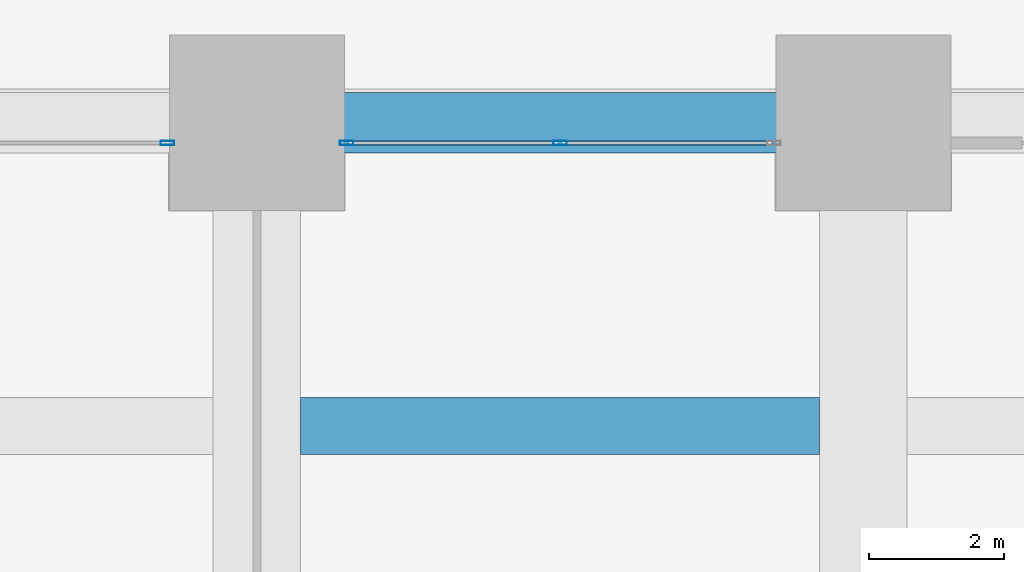
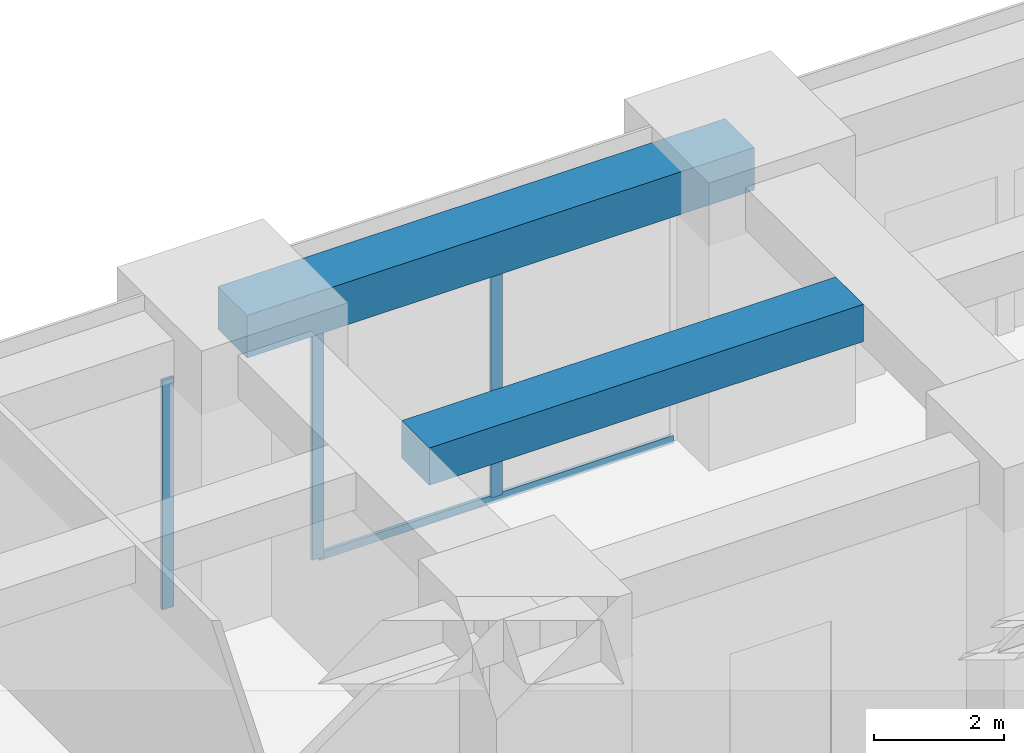
# One storey, part 24 of 56: 4 members, 2 beams, 2 elements without a shape of their own.
"""IFC4 building model written with IfcOpenShell, lengths in metres."""

from ifc_helpers import new_model, si_unit, direction, frame, origin, origin_2d, place, context, subcontext, project, spatial, rectangle, hollow_rectangle, extrude, material, material_profile, profile_set, type_object, element, aggregate, save


model = new_model("IFC4")

# Units and contexts
model_context = context("Model", 3, precision=1e-05, world=origin(), true_north=direction((0.0, 1.0)))
body_context = subcontext(model_context, "Body", "Model", "MODEL_VIEW")
ifc_project = project(units=[si_unit("LENGTHUNIT", "METRE"), si_unit("AREAUNIT", "SQUARE_METRE"), si_unit("VOLUMEUNIT", "CUBIC_METRE"), si_unit("PLANEANGLEUNIT", "RADIAN"), si_unit("MASSUNIT", "GRAM", prefix="KILO")], contexts=[model_context])

# Site, building, storey
site_placement = place(None, origin())
site = spatial("IfcSite", under=ifc_project, at=site_placement, CompositionType="ELEMENT")
building_placement = place(site_placement, origin())
building = spatial("IfcBuilding", under=site, at=building_placement, Name="Zorevar Civic Tower", CompositionType="ELEMENT")
storey_placement = place(building_placement, origin())
storey = spatial("IfcBuildingStorey", under=building, at=storey_placement, Name="L00", CompositionType="ELEMENT", Elevation=0.0)

# Beam
ifc_material_1 = material(Name="Concrete C50/60", Category="concrete")
ifc_material_profile_1 = material_profile(ifc_material_1, rectangle(XDim=0.85009765625, YDim=0.699951171875, at=origin_2d()), Name="RC 850x700")
ifc_profile_set_1 = profile_set([ifc_material_profile_1], Name="Concrete C50/60")
beam_type_1 = type_object("IfcBeamType", Name="Beam RC 850x700", PredefinedType="BEAM", material=ifc_profile_set_1)
beam_1_placement = place(storey_placement, frame((18.64990234375, 49.5, 4.75), z_axis=(1.0, 0.0, 0.0), x_axis=(0.0, 1.0, 0.0)))
element("IfcBeam", 1, at=beam_1_placement, inside=storey, type_object=beam_type_1, Name="Secondary beam L01", PredefinedType="BEAM", context=body_context, shape_type="SweptSolid", body=[
    extrude(rectangle(XDim=0.85009765625, YDim=0.699951171875, at=origin_2d()), origin(), (0.0, 0.0, 1.0), 7.7001953125),
])

# Curtain wall, member
ifc_material_2 = material(Name="Dark grey solar-control glass in black aluminium frame", Category="aluminium")
curtain_wall_type = type_object("IfcCurtainWallType", Name="Curtain wall CW1 podium", PredefinedType="NOTDEFINED", material=ifc_material_2)
curtain_wall_1_placement = place(storey_placement, origin())
curtain_wall_1 = element("IfcCurtainWall", 2, at=curtain_wall_1_placement, inside=storey, type_object=curtain_wall_type, Name="CW1 L00", PredefinedType="NOTDEFINED")
ifc_material_3 = material(Name="Aluminium, black anodised", Category="aluminium")
ifc_material_profile_2 = material_profile(ifc_material_3, hollow_rectangle(XDim=0.06005859375, YDim=0.199951171875, WallThickness=0.00390625, at=origin_2d()), Name="AL 200x60x4")
ifc_profile_set_2 = profile_set([ifc_material_profile_2], Name="Aluminium, black anodised")
member_type_1 = type_object("IfcMemberType", Name="CW1 mullion AL 200x60x4", PredefinedType="MULLION", material=ifc_profile_set_2)
member_1_placement = place(storey_placement, frame((16.669921875, 53.699951171875, 0.0), z_axis=(0.0, 0.0, 1.0), x_axis=(0.0, 1.0, 0.0)))
member_1 = element("IfcMember", 3, at=member_1_placement, type_object=member_type_1, Name="CW1 mullion 3", PredefinedType="MULLION", context=body_context, shape_type="SweptSolid", body=[
    extrude(hollow_rectangle(XDim=0.06005859375, YDim=0.199951171875, WallThickness=0.00390625, at=origin_2d()), origin(), (0.0, 0.0, 1.0), 4.300048828125),
])
aggregate(curtain_wall_1, [member_1])

# Curtain wall, members
curtain_wall_2_placement = place(storey_placement, origin())
curtain_wall_2 = element("IfcCurtainWall", 4, at=curtain_wall_2_placement, inside=storey, type_object=curtain_wall_type, Name="CW1 L00", PredefinedType="NOTDEFINED")
member_2_placement = place(storey_placement, frame((19.330078125, 53.699951171875, 0.0), z_axis=(0.0, 0.0, 1.0), x_axis=(0.0, 1.0, 0.0)))
member_2 = element("IfcMember", 5, at=member_2_placement, type_object=member_type_1, Name="CW1 mullion 1", PredefinedType="MULLION", context=body_context, shape_type="SweptSolid", body=[
    extrude(hollow_rectangle(XDim=0.06005859375, YDim=0.199951171875, WallThickness=0.00390625, at=origin_2d()), origin(), (0.0, 0.0, 1.0), 4.300048828125),
])
member_3_placement = place(storey_placement, frame((22.5, 53.699951171875, 0.06005859375), z_axis=(0.0, 0.0, 1.0), x_axis=(0.0, 1.0, 0.0)))
member_3 = element("IfcMember", 6, at=member_3_placement, type_object=member_type_1, Name="CW1 mullion 2", PredefinedType="MULLION", context=body_context, shape_type="SweptSolid", body=[
    extrude(hollow_rectangle(XDim=0.06005859375, YDim=0.199951171875, WallThickness=0.00390625, at=origin_2d()), origin(), (0.0, 0.0, 1.0), 4.239990234375),
])
ifc_material_4 = material(Name="Aluminium, black anodised", Category="aluminium")
ifc_material_profile_3 = material_profile(ifc_material_4, hollow_rectangle(XDim=0.06005859375, YDim=0.14990234375, WallThickness=0.00390625, at=origin_2d()), Name="AL 150x60x4")
ifc_profile_set_3 = profile_set([ifc_material_profile_3], Name="Aluminium, black anodised")
member_type_2 = type_object("IfcMemberType", Name="CW1 transom AL 150x60x4", PredefinedType="USERDEFINED", material=ifc_profile_set_3)
member_4_placement = place(storey_placement, frame((19.360107421875, 53.699951171875, 0.030029296875), z_axis=(1.0, 0.0, 0.0), x_axis=(0.0, 1.0, 0.0)))
member_4 = element("IfcMember", 7, at=member_4_placement, type_object=member_type_2, Name="CW1 sill transom", ObjectType="TRANSOM", PredefinedType="USERDEFINED", context=body_context, shape_type="SweptSolid", body=[
    extrude(hollow_rectangle(XDim=0.06005859375, YDim=0.14990234375, WallThickness=0.00390625, at=origin_2d()), origin(), (0.0, 0.0, 1.0), 6.27978515625),
])
aggregate(curtain_wall_2, [member_2, member_3, member_4])

# Beam
ifc_material_5 = material(Name="Concrete C50/60", Category="concrete")
ifc_material_profile_4 = material_profile(ifc_material_5, rectangle(XDim=0.89990234375, YDim=0.800048828125, at=origin_2d()), Name="RC 900x800")
ifc_profile_set_4 = profile_set([ifc_material_profile_4], Name="Concrete C50/60")
beam_type_2 = type_object("IfcBeamType", Name="Edge beam RC 900x800", PredefinedType="SPANDREL", material=ifc_profile_set_4)
beam_2_placement = place(storey_placement, frame((18.0, 54.0, 4.699951171875), z_axis=(1.0, 0.0, 0.0), x_axis=(0.0, 1.0, 0.0)))
element("IfcBeam", 8, at=beam_2_placement, inside=storey, type_object=beam_type_2, Name="Edge beam L01", PredefinedType="SPANDREL", context=body_context, shape_type="SweptSolid", body=[
    extrude(rectangle(XDim=0.89990234375, YDim=0.800048828125, at=origin_2d()), origin(), (0.0, 0.0, 1.0), 9.0),
])

save(model, "model.ifc")
